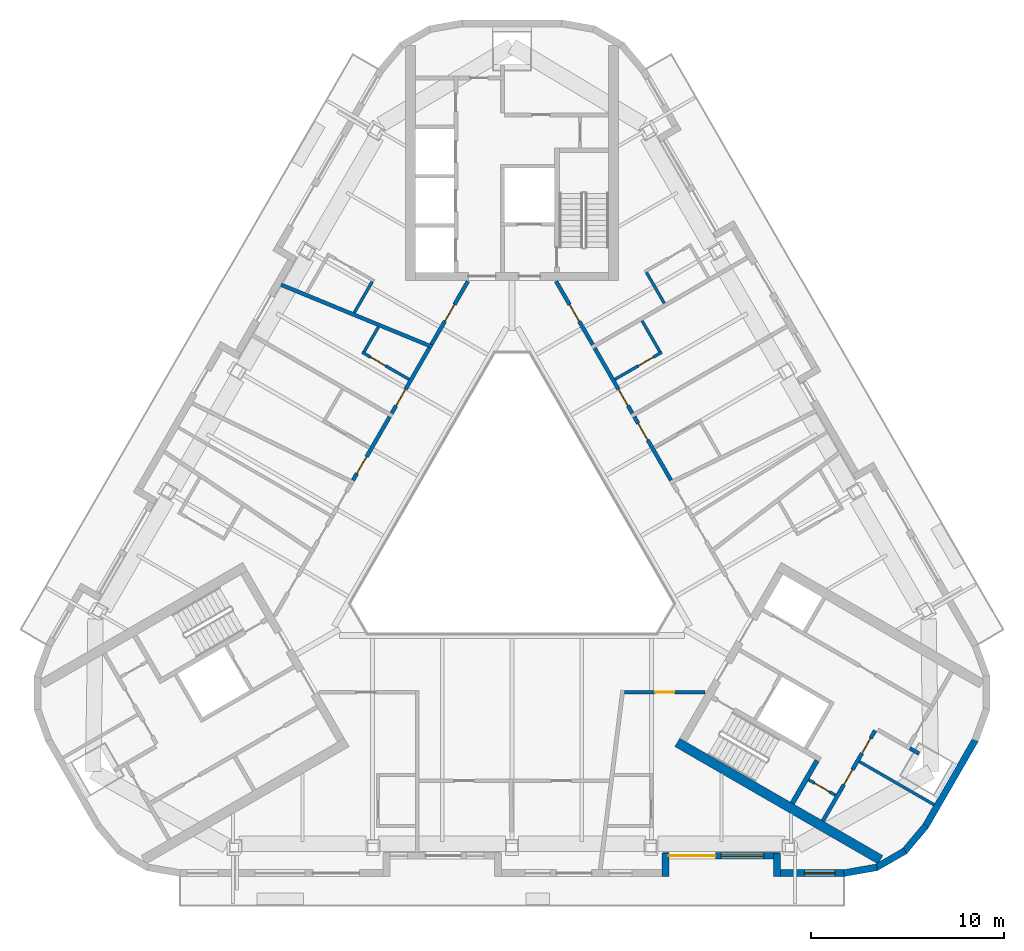
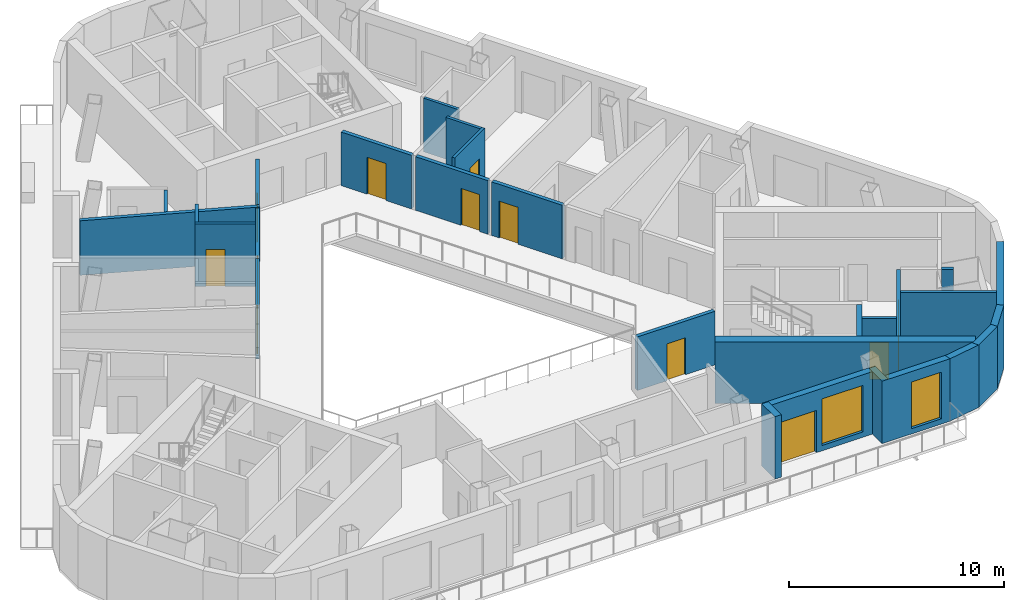
# One storey, part 5 of 13: 28 walls, 13 doors, 2 windows, 15 openings.
"""IFC4 building model written with IfcOpenShell, lengths in metres."""

from ifc_helpers import new_model, si_unit, direction, frame, frame_2d, origin, place, context, subcontext, project, spatial, rectangle, extrude, material, layer, layer_set, type_object, element, fill, save


model = new_model("IFC4")

# Units and contexts
model_context = context("Model", 3, precision=1e-05, world=origin(), true_north=direction((0.0, 1.0)))
body_context = subcontext(model_context, "Body", "Model", "MODEL_VIEW")
ifc_project = project(units=[si_unit("LENGTHUNIT", "METRE"), si_unit("AREAUNIT", "SQUARE_METRE"), si_unit("VOLUMEUNIT", "CUBIC_METRE"), si_unit("PLANEANGLEUNIT", "RADIAN"), si_unit("MASSUNIT", "GRAM", prefix="KILO")], contexts=[model_context])

# Site, building, storey
site_placement = place(None, origin())
site = spatial("IfcSite", under=ifc_project, at=site_placement, CompositionType="ELEMENT")
building_placement = place(site_placement, origin())
building = spatial("IfcBuilding", under=site, at=building_placement, Name="Apuvela Tower Hotel", CompositionType="ELEMENT")
storey_placement = place(building_placement, frame((0.0, 0.0, 287.39990234375)))
storey = spatial("IfcBuildingStorey", under=building, at=storey_placement, Name="L71", CompositionType="ELEMENT", Elevation=287.39990234375)

# Wall
ifc_material_1 = material(Name="Concrete C50/60", Category="concrete")
ifc_layer_1 = layer(ifc_material_1, 0.5)
ifc_layer_set_1 = layer_set([ifc_layer_1], Name="COR-WALL-CORE-500")
wall_type_1 = type_object("IfcWallType", Name="COR-WALL-CORE-500", PredefinedType="SHEAR", material=ifc_layer_set_1)
wall_1_placement = place(storey_placement, frame((8.546630859375, -10.99658203125, 0.0), z_axis=(0.0, 0.0, 1.0), x_axis=(0.866024688907, -0.500001238203, 0.0)))
element("IfcWall", 1, at=wall_1_placement, inside=storey, type_object=wall_type_1, Name="Core wall SE", PredefinedType="SHEAR", context=body_context, shape_type="SweptSolid", body=[
    extrude(rectangle(XDim=12.12890625, YDim=0.5, at=frame_2d((6.064453125, 0.0))), origin(), (0.0, 0.0, 1.0), 3.5),
])

# Wall, opening, door
ifc_material_2 = material(Name="Blockwork 150 mm plastered", Category="masonry")
ifc_layer_2 = layer(ifc_material_2, 0.14990234375)
ifc_layer_set_2 = layer_set([ifc_layer_2], Name="COR-WALL-PART-150")
wall_type_2 = type_object("IfcWallType", Name="COR-WALL-PART-150", PredefinedType="PARTITIONING", material=ifc_layer_set_2)
wall_2_placement = place(storey_placement, frame((15.341552734375, -12.927734375, 0.0), z_axis=(0.0, 0.0, 1.0), x_axis=(0.865989903783, -0.500061482766, 0.0)))
wall_2 = element("IfcWall", 2, at=wall_2_placement, inside=storey, type_object=wall_type_2, Name="Partition SE", PredefinedType="PARTITIONING", context=body_context, shape_type="SweptSolid", body=[
    extrude(rectangle(XDim=1.599853515625, YDim=0.14990234375, at=frame_2d((0.7998046875, 0.0))), origin(), (0.0, 0.0, 1.0), 3.5),
])
opening_1_placement = place(wall_2_placement, frame((0.35009765625, 0.0, 0.0)))
opening_1 = element("IfcOpeningElement", 3, at=opening_1_placement, cuts=wall_2, Name="Opening E-RD", PredefinedType="OPENING", context=body_context, shape_type="SweptSolid", body=[
    extrude(rectangle(XDim=0.89990234375, YDim=2.10009765625, at=frame_2d((0.449951171875, 1.050048828125))), frame((0.0, 0.0849609375, 0.0), z_axis=(0.0, -1.0, 0.0), x_axis=(1.0, 0.0, 0.0)), (0.0, 0.0, 1.0), 0.169921875),
])
ifc_material_3 = material(Name="Steel access door, powder coated", Category="steel")
door_type_1 = type_object("IfcDoorType", Name="COR-RD-900", OperationType="NOTDEFINED", PredefinedType="DOOR", material=ifc_material_3)
door_1_placement = place(opening_1_placement, frame((0.89990234375, 0.0, 0.0), z_axis=(0.0, 0.0, 1.0), x_axis=(-1.0, 0.0, 0.0)))
door_1 = element("IfcDoor", 4, at=door_1_placement, inside=storey, type_object=door_type_1, Name="Riser door E-RD", OperationType="SINGLE_SWING_LEFT", OverallHeight=2.10009765625, OverallWidth=0.89990234375, PredefinedType="DOOR", context=body_context, shape_type="SweptSolid", body=[
    extrude(rectangle(XDim=0.89990234375, YDim=2.10009765625, at=frame_2d((0.449951171875, 1.050048828125))), frame((0.0, 0.02490234375, 0.0), z_axis=(0.0, -1.0, 0.0), x_axis=(1.0, 0.0, 0.0)), (0.0, 0.0, 1.0), 0.050048828125),
])
fill(opening_1, door_1)

# Wall
wall_3_placement = place(storey_placement, frame((17.962890625, -11.9873046875, 0.0), z_axis=(0.0, 0.0, 1.0), x_axis=(0.866010510293, -0.500025795397, 0.0)))
element("IfcWall", 5, at=wall_3_placement, inside=storey, type_object=wall_type_2, Name="Partition SE", PredefinedType="PARTITIONING", context=body_context, shape_type="SweptSolid", body=[
    extrude(rectangle(XDim=4.458740234375, YDim=0.14990234375, at=frame_2d((2.2294921875, 0.0))), origin(), (0.0, 0.0, 1.0), 3.5),
])

# Wall, openings, doors
ifc_material_4 = material(Name="Blockwork 200 mm plastered", Category="masonry")
ifc_layer_3 = layer(ifc_material_4, 0.199951171875)
ifc_layer_set_3 = layer_set([ifc_layer_3], Name="COR-WALL-PART-200")
wall_type_3 = type_object("IfcWallType", Name="COR-WALL-PART-200", PredefinedType="PARTITIONING", material=ifc_layer_set_3)
wall_4_placement = place(storey_placement, frame((16.076171875, -15.05517578125, 0.0), z_axis=(0.0, 0.0, 1.0), x_axis=(0.499995103361, 0.866028230842, 0.0)))
wall_4 = element("IfcWall", 6, at=wall_4_placement, inside=storey, type_object=wall_type_3, Name="Partition SE", PredefinedType="PARTITIONING", context=body_context, shape_type="SweptSolid", body=[
    extrude(rectangle(XDim=5.39990234375, YDim=0.199951171875, at=frame_2d((2.699951171875, 0.0))), origin(), (0.0, 0.0, 1.0), 3.5),
])
opening_2_placement = place(wall_4_placement, frame((2.16259765625, 0.0, 0.0)))
opening_2 = element("IfcOpeningElement", 7, at=opening_2_placement, cuts=wall_4, Name="Opening E-RS1", PredefinedType="OPENING", context=body_context, shape_type="SweptSolid", body=[
    extrude(rectangle(XDim=0.89990234375, YDim=2.10009765625, at=frame_2d((0.449951171875, 1.050048828125))), frame((0.0, 0.10986328125, 0.0), z_axis=(0.0, -1.0, 0.0), x_axis=(1.0, 0.0, 0.0)), (0.0, 0.0, 1.0), 0.219970703125),
])
opening_3_placement = place(wall_4_placement, frame((4.03759765625, 0.0, 0.0)))
opening_3 = element("IfcOpeningElement", 8, at=opening_3_placement, cuts=wall_4, Name="Opening E-RS2", PredefinedType="OPENING", context=body_context, shape_type="SweptSolid", body=[
    extrude(rectangle(XDim=0.89990234375, YDim=2.10009765625, at=frame_2d((0.449951171875, 1.050048828125))), frame((0.0, 0.10986328125, 0.0), z_axis=(0.0, -1.0, 0.0), x_axis=(1.0, 0.0, 0.0)), (0.0, 0.0, 1.0), 0.219970703125),
])
ifc_material_5 = material(Name="Steel fire door, powder coated", Category="steel")
door_type_2 = type_object("IfcDoorType", Name="COR-DR-900", OperationType="NOTDEFINED", PredefinedType="DOOR", material=ifc_material_5)
door_2_placement = place(opening_2_placement, frame((0.89990234375, 0.0, 0.0), z_axis=(0.0, 0.0, 1.0), x_axis=(-1.0, 0.0, 0.0)))
door_2 = element("IfcDoor", 9, at=door_2_placement, inside=storey, type_object=door_type_2, Name="Store door E-RS1", OperationType="SINGLE_SWING_LEFT", OverallHeight=2.10009765625, OverallWidth=0.89990234375, PredefinedType="DOOR", context=body_context, shape_type="SweptSolid", body=[
    extrude(rectangle(XDim=0.89990234375, YDim=2.10009765625, at=frame_2d((0.449951171875, 1.050048828125))), frame((0.0, 0.02490234375, 0.0), z_axis=(0.0, -1.0, 0.0), x_axis=(1.0, 0.0, 0.0)), (0.0, 0.0, 1.0), 0.050048828125),
])
fill(opening_2, door_2)
door_3_placement = place(opening_3_placement, frame((0.89990234375, 0.0, 0.0), z_axis=(0.0, 0.0, 1.0), x_axis=(-1.0, 0.0, 0.0)))
door_3 = element("IfcDoor", 10, at=door_3_placement, inside=storey, type_object=door_type_2, Name="Store door E-RS2", OperationType="SINGLE_SWING_LEFT", OverallHeight=2.10009765625, OverallWidth=0.89990234375, PredefinedType="DOOR", context=body_context, shape_type="SweptSolid", body=[
    extrude(rectangle(XDim=0.89990234375, YDim=2.10009765625, at=frame_2d((0.449951171875, 1.050048828125))), frame((0.0, 0.02490234375, 0.0), z_axis=(0.0, -1.0, 0.0), x_axis=(1.0, 0.0, 0.0)), (0.0, 0.0, 1.0), 0.050048828125),
])
fill(opening_3, door_3)

# Walls
ifc_layer_4 = layer(ifc_material_1, 0.199951171875)
ifc_layer_set_4 = layer_set([ifc_layer_4], Name="COR-WALL-SHAFT-200")
wall_type_4 = type_object("IfcWallType", Name="COR-WALL-SHAFT-200", PredefinedType="SHEAR", material=ifc_layer_set_4)
wall_5_placement = place(storey_placement, frame((20.56689453125, -11.297119140625, 0.0), z_axis=(0.0, 0.0, 1.0), x_axis=(0.866237429803, -0.49963258021, 0.0)))
element("IfcWall", 11, at=wall_5_placement, inside=storey, type_object=wall_type_4, Name="Shaft wall SE", PredefinedType="SHEAR", context=body_context, shape_type="SweptSolid", body=[
    extrude(rectangle(XDim=0.548828125, YDim=0.199951171875, at=frame_2d((0.2744140625, 0.0))), origin(), (0.0, 0.0, 1.0), 3.5),
])
ifc_layer_5 = layer(ifc_material_1, 0.25)
ifc_layer_set_5 = layer_set([ifc_layer_5], Name="COR-WALL-STAIR-250")
wall_type_5 = type_object("IfcWallType", Name="COR-WALL-STAIR-250", PredefinedType="SHEAR", material=ifc_layer_set_5)
wall_6_placement = place(storey_placement, frame((14.49560546875, -14.142578125, 0.0), z_axis=(0.0, 0.0, 1.0), x_axis=(0.500062241894, 0.865989465428, 0.0)))
element("IfcWall", 12, at=wall_6_placement, inside=storey, type_object=wall_type_5, Name="Stair wall SE", PredefinedType="SHEAR", context=body_context, shape_type="SweptSolid", body=[
    extrude(rectangle(XDim=2.550048828125, YDim=0.25, at=frame_2d((1.27490234375, 0.0))), origin(), (0.0, 0.0, 1.0), 3.5),
])
ifc_material_6 = material(Name="Concrete C40/50, dark pigmented precast panel", Category="concrete")
ifc_layer_6 = layer(ifc_material_6, 0.35009765625)
ifc_layer_set_6 = layer_set([ifc_layer_6], Name="ENV-WALL-350")
wall_type_6 = type_object("IfcWallType", Name="ENV-WALL-350", PredefinedType="SOLIDWALL", material=ifc_layer_set_6)
wall_7_placement = place(storey_placement, frame((7.9404296875, -17.9287109375, 0.0), z_axis=(0.0, 0.0, 1.0), x_axis=(0.0, 1.0, 0.0)))
element("IfcWall", 13, at=wall_7_placement, inside=storey, type_object=wall_type_6, Name="External wall L71-22", PredefinedType="SOLIDWALL", context=body_context, shape_type="SweptSolid", body=[
    extrude(rectangle(XDim=1.219970703125, YDim=0.35009765625, at=frame_2d((0.60986328125, 0.0))), origin(), (0.0, 0.0, 1.0), 3.550048828125),
])

# Wall, openings, door, window
wall_8_placement = place(storey_placement, frame((7.79541015625, -16.853759765625, 0.0), z_axis=(0.0, 0.0, 1.0), x_axis=(1.0, 0.0, 0.0)))
wall_8 = element("IfcWall", 14, at=wall_8_placement, inside=storey, type_object=wall_type_6, Name="External wall L71-23", PredefinedType="SOLIDWALL", context=body_context, shape_type="SweptSolid", body=[
    extrude(rectangle(XDim=6.05517578125, YDim=0.35009765625, at=frame_2d((3.027587890625, 0.0))), origin(), (0.0, 0.0, 1.0), 3.550048828125),
])
opening_4_placement = place(wall_8_placement, frame((0.3203125, 0.0, 0.0)))
opening_4 = element("IfcOpeningElement", 15, at=opening_4_placement, cuts=wall_8, Name="Opening BD24", PredefinedType="OPENING", context=body_context, shape_type="SweptSolid", body=[
    extrude(rectangle(XDim=2.39990234375, YDim=2.39990234375, at=frame_2d((1.199951171875, 1.199951171875))), frame((0.0, 0.18505859375, 0.0), z_axis=(0.0, -1.0, 0.0), x_axis=(1.0, 0.0, 0.0)), (0.0, 0.0, 1.0), 0.3701171875),
])
opening_5_placement = place(wall_8_placement, frame((3.020263671875, 0.0, 0.300048828125)))
opening_5 = element("IfcOpeningElement", 16, at=opening_5_placement, cuts=wall_8, Name="Opening WN22", PredefinedType="OPENING", context=body_context, shape_type="SweptSolid", body=[
    extrude(rectangle(XDim=2.199951171875, YDim=2.64990234375, at=frame_2d((1.10009765625, 1.324951171875))), frame((0.0, 0.18505859375, 0.0), z_axis=(0.0, -1.0, 0.0), x_axis=(1.0, 0.0, 0.0)), (0.0, 0.0, 1.0), 0.3701171875),
])
ifc_material_7 = material(Name="Aluminium 6063-T6, dark bronze anodised frame with dark tinted laminated glass", Category="aluminium")
door_type_3 = type_object("IfcDoorType", Name="ENV-DOOR-BALCONY-2400x2400", OperationType="SLIDING_TO_LEFT", PredefinedType="DOOR", material=ifc_material_7)
door_4_placement = place(opening_4_placement, frame((2.39990234375, 0.0, 0.0), z_axis=(0.0, 0.0, 1.0), x_axis=(-1.0, 0.0, 0.0)))
door_4 = element("IfcDoor", 17, at=door_4_placement, inside=storey, type_object=door_type_3, Name="Balcony door BD24", OperationType="SLIDING_TO_LEFT", OverallHeight=2.39990234375, OverallWidth=2.39990234375, PredefinedType="DOOR", context=body_context, shape_type="SweptSolid", body=[
    extrude(rectangle(XDim=2.39990234375, YDim=2.39990234375, at=frame_2d((1.199951171875, 1.199951171875))), frame((0.0, 0.02490234375, 0.0), z_axis=(0.0, -1.0, 0.0), x_axis=(1.0, 0.0, 0.0)), (0.0, 0.0, 1.0), 0.050048828125),
])
fill(opening_4, door_4)
ifc_material_8 = material(Name="Glass, dark tinted laminated insulated glazing unit", Category="glass")
window_type_1 = type_object("IfcWindowType", Name="ENV-WIN-2200x2650", PartitioningType="SINGLE_PANEL", PredefinedType="WINDOW", material=ifc_material_8)
window_1_placement = place(opening_5_placement, origin())
window_1 = element("IfcWindow", 18, at=window_1_placement, inside=storey, type_object=window_type_1, Name="Window WN22", OverallHeight=2.64990234375, OverallWidth=2.199951171875, PartitioningType="SINGLE_PANEL", PredefinedType="WINDOW", context=body_context, shape_type="SweptSolid", body=[
    extrude(rectangle(XDim=2.199951171875, YDim=2.64990234375, at=frame_2d((1.10009765625, 1.324951171875))), frame((0.0, 0.030029296875, 0.0), z_axis=(0.0, -1.0, 0.0), x_axis=(1.0, 0.0, 0.0)), (0.0, 0.0, 1.0), 0.06005859375),
])
fill(opening_5, window_1)

# Wall
wall_9_placement = place(storey_placement, frame((13.705810546875, -16.708740234375, 0.0), z_axis=(0.0, 0.0, 1.0), x_axis=(0.0, -1.0, 0.0)))
element("IfcWall", 19, at=wall_9_placement, inside=storey, type_object=wall_type_6, Name="External wall L71-24", PredefinedType="SOLIDWALL", context=body_context, shape_type="SweptSolid", body=[
    extrude(rectangle(XDim=1.219970703125, YDim=0.35009765625, at=frame_2d((0.60986328125, 0.0))), origin(), (0.0, 0.0, 1.0), 3.550048828125),
])

# Wall, opening, window
wall_10_placement = place(storey_placement, frame((13.53076171875, -17.753662109375, 0.0), z_axis=(0.0, 0.0, 1.0), x_axis=(1.0, 0.0, 0.0)))
wall_10 = element("IfcWall", 20, at=wall_10_placement, inside=storey, type_object=wall_type_6, Name="External wall L71-25", PredefinedType="SOLIDWALL", context=body_context, shape_type="SweptSolid", body=[
    extrude(rectangle(XDim=3.654296875, YDim=0.35009765625, at=frame_2d((1.8271484375, 0.0))), origin(), (0.0, 0.0, 1.0), 3.550048828125),
])
opening_6_placement = place(wall_10_placement, frame((1.5810546875, 0.0, 0.300048828125)))
opening_6 = element("IfcOpeningElement", 21, at=opening_6_placement, cuts=wall_10, Name="Opening WN16", PredefinedType="OPENING", context=body_context, shape_type="SweptSolid", body=[
    extrude(rectangle(XDim=1.60009765625, YDim=2.64990234375, at=frame_2d((0.800048828125, 1.324951171875))), frame((0.0, 0.18505859375, 0.0), z_axis=(0.0, -1.0, 0.0), x_axis=(1.0, 0.0, 0.0)), (0.0, 0.0, 1.0), 0.3701171875),
])
window_type_2 = type_object("IfcWindowType", Name="ENV-WIN-1600x2650", PartitioningType="SINGLE_PANEL", PredefinedType="WINDOW", material=ifc_material_8)
window_2_placement = place(opening_6_placement, origin())
window_2 = element("IfcWindow", 22, at=window_2_placement, inside=storey, type_object=window_type_2, Name="Window WN16", OverallHeight=2.64990234375, OverallWidth=1.60009765625, PartitioningType="SINGLE_PANEL", PredefinedType="WINDOW", context=body_context, shape_type="SweptSolid", body=[
    extrude(rectangle(XDim=1.60009765625, YDim=2.64990234375, at=frame_2d((0.800048828125, 1.324951171875))), frame((0.0, 0.030029296875, 0.0), z_axis=(0.0, -1.0, 0.0), x_axis=(1.0, 0.0, 0.0)), (0.0, 0.0, 1.0), 0.06005859375),
])
fill(opening_6, window_2)

# Walls
for number, where, z_axis, x_axis, name in (
    (23, (17.15478515625, -17.75634765625, 0.0), (0.0, 0.0, 1.0), (0.984803276474, 0.173673563465, 0.0), "External wall L71-26"),
    (24, (18.815673828125, -17.47412109375, 0.0), (0.0, 0.0, 1.0), (0.86609937154, 0.499871862198, 0.0), "External wall L71-27"),
    (25, (20.280029296875, -16.64111328125, 0.0), (0.0, 0.0, 1.0), (0.642768607723, 0.766060387258, 0.0), "External wall L71-28"),
):
    element("IfcWall", number, at=place(storey_placement, frame(where, z_axis=z_axis, x_axis=x_axis)), inside=storey, type_object=wall_type_6, Name=name, PredefinedType="SOLIDWALL", context=body_context, shape_type="SweptSolid", body=[
        extrude(rectangle(XDim=1.74462890625, YDim=0.35009765625, at=frame_2d((0.872314453125, 0.0))), origin(), (0.0, 0.0, 1.0), 3.550048828125),
    ])
wall_11_placement = place(storey_placement, frame((21.3837890625, -15.32958984375, 0.0), z_axis=(0.0, 0.0, 1.0), x_axis=(0.500020983425, 0.866013288659, 0.0)))
element("IfcWall", 26, at=wall_11_placement, inside=storey, type_object=wall_type_6, Name="External wall L71-29", PredefinedType="SOLIDWALL", context=body_context, shape_type="SweptSolid", body=[
    extrude(rectangle(XDim=5.167724609375, YDim=0.35009765625, at=frame_2d((2.583984375, 0.0))), origin(), (0.0, 0.0, 1.0), 3.550048828125),
])
ifc_material_9 = material(Name="Gypsum board partition on twin steel stud", Category="steel")
ifc_layer_7 = layer(ifc_material_9, 0.199951171875)
ifc_layer_set_7 = layer_set([ifc_layer_7], Name="GST-PW1")
wall_type_7 = type_object("IfcWallType", Name="GST-PW1", PredefinedType="PARTITIONING", material=ifc_layer_set_7)
wall_12_placement = place(storey_placement, frame((-11.943603515625, 12.67041015625, 0.0), z_axis=(0.0, 0.0, 1.0), x_axis=(0.924897439871, -0.380216682591, 0.0)))
element("IfcWall", 27, at=wall_12_placement, inside=storey, type_object=wall_type_7, Name="L71 partition 08", PredefinedType="PARTITIONING", context=body_context, shape_type="SweptSolid", body=[
    extrude(rectangle(XDim=8.4541015625, YDim=0.199951171875, at=frame_2d((4.22705078125, 0.0))), origin(), (0.0, 0.0, 1.0), 3.10009765625),
])

# Wall, opening, door
ifc_material_10 = material(Name="Gypsum board corridor wall on twin steel stud, acoustic", Category="steel")
ifc_layer_8 = layer(ifc_material_10, 0.199951171875)
ifc_layer_set_8 = layer_set([ifc_layer_8], Name="GST-PW2")
wall_type_8 = type_object("IfcWallType", Name="GST-PW2", PredefinedType="PARTITIONING", material=ifc_layer_set_8)
wall_13_placement = place(storey_placement, frame((9.98828125, -8.39990234375, 0.0), z_axis=(0.0, 0.0, 1.0), x_axis=(-1.0, 0.0, 0.0)))
wall_13 = element("IfcWall", 28, at=wall_13_placement, inside=storey, type_object=wall_type_8, Name="L71 partition 18", PredefinedType="PARTITIONING", context=body_context, shape_type="SweptSolid", body=[
    extrude(rectangle(XDim=4.175048828125, YDim=0.199951171875, at=frame_2d((2.08740234375, 0.0))), origin(), (0.0, 0.0, 1.0), 3.050048828125),
])
opening_7_placement = place(wall_13_placement, frame((1.58740234375, 0.0, 0.0)))
opening_7 = element("IfcOpeningElement", 29, at=opening_7_placement, cuts=wall_13, Name="Opening GD28-06", PredefinedType="OPENING", context=body_context, shape_type="SweptSolid", body=[
    extrude(rectangle(XDim=1.0, YDim=2.10009765625, at=frame_2d((0.5, 1.050048828125))), frame((0.0, 0.10986328125, 0.0), z_axis=(0.0, -1.0, 0.0), x_axis=(1.0, 0.0, 0.0)), (0.0, 0.0, 1.0), 0.219970703125),
])
ifc_material_11 = material(Name="Timber door leaf in steel frame", Category="steel")
door_type_4 = type_object("IfcDoorType", Name="GST-D1", OperationType="NOTDEFINED", PredefinedType="DOOR", material=ifc_material_11)
door_5_placement = place(opening_7_placement, origin())
door_5 = element("IfcDoor", 30, at=door_5_placement, inside=storey, type_object=door_type_4, Name="Door L71-06", OperationType="SINGLE_SWING_RIGHT", OverallHeight=2.10009765625, OverallWidth=1.0, PredefinedType="DOOR", context=body_context, shape_type="SweptSolid", body=[
    extrude(rectangle(XDim=1.0, YDim=2.10009765625, at=frame_2d((0.5, 1.050048828125))), frame((0.0, 0.02490234375, 0.0), z_axis=(0.0, -1.0, 0.0), x_axis=(1.0, 0.0, 0.0)), (0.0, 0.0, 1.0), 0.050048828125),
])
fill(opening_7, door_5)

wall_14_placement = place(storey_placement, frame((6.32470703125, 5.845458984375, 0.0), z_axis=(0.0, 0.0, 1.0), x_axis=(0.499988034227, -0.866032312117, 0.0)))
wall_14 = element("IfcWall", 31, at=wall_14_placement, inside=storey, type_object=wall_type_8, Name="L71 partition 29", PredefinedType="PARTITIONING", context=body_context, shape_type="SweptSolid", body=[
    extrude(rectangle(XDim=3.79296875, YDim=0.199951171875, at=frame_2d((1.896484375, 0.0))), origin(), (0.0, 0.0, 1.0), 3.050048828125),
])
opening_8_placement = place(wall_14_placement, frame((0.4033203125, 0.0, 0.0)))
opening_8 = element("IfcOpeningElement", 32, at=opening_8_placement, cuts=wall_14, Name="Opening GD28-12", PredefinedType="OPENING", context=body_context, shape_type="SweptSolid", body=[
    extrude(rectangle(XDim=1.0, YDim=2.10009765625, at=frame_2d((0.5, 1.050048828125))), frame((0.0, 0.10986328125, 0.0), z_axis=(0.0, -1.0, 0.0), x_axis=(1.0, 0.0, 0.0)), (0.0, 0.0, 1.0), 0.219970703125),
])
door_6_placement = place(opening_8_placement, origin())
door_6 = element("IfcDoor", 33, at=door_6_placement, inside=storey, type_object=door_type_4, Name="Door L71-12", OperationType="SINGLE_SWING_LEFT", OverallHeight=2.10009765625, OverallWidth=1.0, PredefinedType="DOOR", context=body_context, shape_type="SweptSolid", body=[
    extrude(rectangle(XDim=1.0, YDim=2.10009765625, at=frame_2d((0.5, 1.050048828125))), frame((0.0, 0.02490234375, 0.0), z_axis=(0.0, -1.0, 0.0), x_axis=(1.0, 0.0, 0.0)), (0.0, 0.0, 1.0), 0.050048828125),
])
fill(opening_8, door_6)

wall_15_placement = place(storey_placement, frame((4.274658203125, 9.396240234375, 0.0), z_axis=(0.0, 0.0, 1.0), x_axis=(0.499997012787, -0.866027128446, 0.0)))
wall_15 = element("IfcWall", 34, at=wall_15_placement, inside=storey, type_object=wall_type_8, Name="L71 partition 32", PredefinedType="PARTITIONING", context=body_context, shape_type="SweptSolid", body=[
    extrude(rectangle(XDim=3.89990234375, YDim=0.199951171875, at=frame_2d((1.949951171875, 0.0))), origin(), (0.0, 0.0, 1.0), 3.050048828125),
])
opening_9_placement = place(wall_15_placement, frame((2.449951171875, 0.0, 0.0)))
opening_9 = element("IfcOpeningElement", 35, at=opening_9_placement, cuts=wall_15, Name="Opening GD28-14", PredefinedType="OPENING", context=body_context, shape_type="SweptSolid", body=[
    extrude(rectangle(XDim=1.0, YDim=2.10009765625, at=frame_2d((0.5, 1.050048828125))), frame((0.0, 0.10986328125, 0.0), z_axis=(0.0, -1.0, 0.0), x_axis=(1.0, 0.0, 0.0)), (0.0, 0.0, 1.0), 0.219970703125),
])
door_7_placement = place(opening_9_placement, origin())
door_7 = element("IfcDoor", 36, at=door_7_placement, inside=storey, type_object=door_type_4, Name="Door L71-14", OperationType="SINGLE_SWING_RIGHT", OverallHeight=2.10009765625, OverallWidth=1.0, PredefinedType="DOOR", context=body_context, shape_type="SweptSolid", body=[
    extrude(rectangle(XDim=1.0, YDim=2.10009765625, at=frame_2d((0.5, 1.050048828125))), frame((0.0, 0.02490234375, 0.0), z_axis=(0.0, -1.0, 0.0), x_axis=(1.0, 0.0, 0.0)), (0.0, 0.0, 1.0), 0.050048828125),
])
fill(opening_9, door_7)

wall_16_placement = place(storey_placement, frame((2.280517578125, 12.85009765625, 0.0), z_axis=(0.0, 0.0, 1.0), x_axis=(0.499979074716, -0.866037484666, 0.0)))
wall_16 = element("IfcWall", 37, at=wall_16_placement, inside=storey, type_object=wall_type_8, Name="L71 partition 35", PredefinedType="PARTITIONING", context=body_context, shape_type="SweptSolid", body=[
    extrude(rectangle(XDim=3.788330078125, YDim=0.199951171875, at=frame_2d((1.89404296875, 0.0))), origin(), (0.0, 0.0, 1.0), 3.050048828125),
])
opening_10_placement = place(wall_16_placement, frame((1.39404296875, 0.0, 0.0)))
opening_10 = element("IfcOpeningElement", 38, at=opening_10_placement, cuts=wall_16, Name="Opening GD28-16", PredefinedType="OPENING", context=body_context, shape_type="SweptSolid", body=[
    extrude(rectangle(XDim=1.0, YDim=2.10009765625, at=frame_2d((0.5, 1.050048828125))), frame((0.0, 0.10986328125, 0.0), z_axis=(0.0, -1.0, 0.0), x_axis=(1.0, 0.0, 0.0)), (0.0, 0.0, 1.0), 0.219970703125),
])
door_8_placement = place(opening_10_placement, origin())
door_8 = element("IfcDoor", 39, at=door_8_placement, inside=storey, type_object=door_type_4, Name="Door L71-16", OperationType="SINGLE_SWING_RIGHT", OverallHeight=2.10009765625, OverallWidth=1.0, PredefinedType="DOOR", context=body_context, shape_type="SweptSolid", body=[
    extrude(rectangle(XDim=1.0, YDim=2.10009765625, at=frame_2d((0.5, 1.050048828125))), frame((0.0, 0.02490234375, 0.0), z_axis=(0.0, -1.0, 0.0), x_axis=(1.0, 0.0, 0.0)), (0.0, 0.0, 1.0), 0.050048828125),
])
fill(opening_10, door_8)

wall_17_placement = place(storey_placement, frame((-4.16748046875, 9.581787109375, 0.0), z_axis=(0.0, 0.0, 1.0), x_axis=(0.500000579621, 0.86602506914, 0.0)))
wall_17 = element("IfcWall", 40, at=wall_17_placement, inside=storey, type_object=wall_type_8, Name="L71 partition 39", PredefinedType="PARTITIONING", context=body_context, shape_type="SweptSolid", body=[
    extrude(rectangle(XDim=3.77392578125, YDim=0.199951171875, at=frame_2d((1.886962890625, 0.0))), origin(), (0.0, 0.0, 1.0), 3.050048828125),
])
opening_11_placement = place(wall_17_placement, frame((1.386962890625, 0.0, 0.0)))
opening_11 = element("IfcOpeningElement", 41, at=opening_11_placement, cuts=wall_17, Name="Opening GD28-18", PredefinedType="OPENING", context=body_context, shape_type="SweptSolid", body=[
    extrude(rectangle(XDim=1.0, YDim=2.10009765625, at=frame_2d((0.5, 1.050048828125))), frame((0.0, 0.10986328125, 0.0), z_axis=(0.0, -1.0, 0.0), x_axis=(1.0, 0.0, 0.0)), (0.0, 0.0, 1.0), 0.219970703125),
])
door_9_placement = place(opening_11_placement, origin())
door_9 = element("IfcDoor", 42, at=door_9_placement, inside=storey, type_object=door_type_4, Name="Door L71-18", OperationType="SINGLE_SWING_LEFT", OverallHeight=2.10009765625, OverallWidth=1.0, PredefinedType="DOOR", context=body_context, shape_type="SweptSolid", body=[
    extrude(rectangle(XDim=1.0, YDim=2.10009765625, at=frame_2d((0.5, 1.050048828125))), frame((0.0, 0.02490234375, 0.0), z_axis=(0.0, -1.0, 0.0), x_axis=(1.0, 0.0, 0.0)), (0.0, 0.0, 1.0), 0.050048828125),
])
fill(opening_11, door_9)

wall_18_placement = place(storey_placement, frame((-6.224609375, 6.018798828125, 0.0), z_axis=(0.0, 0.0, 1.0), x_axis=(0.500024943202, 0.866011002341, 0.0)))
wall_18 = element("IfcWall", 43, at=wall_18_placement, inside=storey, type_object=wall_type_8, Name="L71 partition 43", PredefinedType="PARTITIONING", context=body_context, shape_type="SweptSolid", body=[
    extrude(rectangle(XDim=3.912353515625, YDim=0.199951171875, at=frame_2d((1.9560546875, 0.0))), origin(), (0.0, 0.0, 1.0), 3.050048828125),
])
opening_12_placement = place(wall_18_placement, frame((0.449462890625, 0.0, 0.0)))
opening_12 = element("IfcOpeningElement", 44, at=opening_12_placement, cuts=wall_18, Name="Opening GD28-20", PredefinedType="OPENING", context=body_context, shape_type="SweptSolid", body=[
    extrude(rectangle(XDim=1.0, YDim=2.10009765625, at=frame_2d((0.5, 1.050048828125))), frame((0.0, 0.10986328125, 0.0), z_axis=(0.0, -1.0, 0.0), x_axis=(1.0, 0.0, 0.0)), (0.0, 0.0, 1.0), 0.219970703125),
])
door_10_placement = place(opening_12_placement, origin())
door_10 = element("IfcDoor", 45, at=door_10_placement, inside=storey, type_object=door_type_4, Name="Door L71-20", OperationType="SINGLE_SWING_LEFT", OverallHeight=2.10009765625, OverallWidth=1.0, PredefinedType="DOOR", context=body_context, shape_type="SweptSolid", body=[
    extrude(rectangle(XDim=1.0, YDim=2.10009765625, at=frame_2d((0.5, 1.050048828125))), frame((0.0, 0.02490234375, 0.0), z_axis=(0.0, -1.0, 0.0), x_axis=(1.0, 0.0, 0.0)), (0.0, 0.0, 1.0), 0.050048828125),
])
fill(opening_12, door_10)

wall_19_placement = place(storey_placement, frame((-8.22119140625, 2.560546875, 0.0), z_axis=(0.0, 0.0, 1.0), x_axis=(0.499988034227, 0.866032312117, 0.0)))
wall_19 = element("IfcWall", 46, at=wall_19_placement, inside=storey, type_object=wall_type_8, Name="L71 partition 46", PredefinedType="PARTITIONING", context=body_context, shape_type="SweptSolid", body=[
    extrude(rectangle(XDim=3.79296875, YDim=0.199951171875, at=frame_2d((1.896484375, 0.0))), origin(), (0.0, 0.0, 1.0), 3.050048828125),
])
opening_13_placement = place(wall_19_placement, frame((0.39990234375, 0.0, 0.0)))
opening_13 = element("IfcOpeningElement", 47, at=opening_13_placement, cuts=wall_19, Name="Opening GD28-22", PredefinedType="OPENING", context=body_context, shape_type="SweptSolid", body=[
    extrude(rectangle(XDim=1.0, YDim=2.10009765625, at=frame_2d((0.5, 1.050048828125))), frame((0.0, 0.10986328125, 0.0), z_axis=(0.0, -1.0, 0.0), x_axis=(1.0, 0.0, 0.0)), (0.0, 0.0, 1.0), 0.219970703125),
])
door_11_placement = place(opening_13_placement, origin())
door_11 = element("IfcDoor", 48, at=door_11_placement, inside=storey, type_object=door_type_4, Name="Door L71-22", OperationType="SINGLE_SWING_LEFT", OverallHeight=2.10009765625, OverallWidth=1.0, PredefinedType="DOOR", context=body_context, shape_type="SweptSolid", body=[
    extrude(rectangle(XDim=1.0, YDim=2.10009765625, at=frame_2d((0.5, 1.050048828125))), frame((0.0, 0.02490234375, 0.0), z_axis=(0.0, -1.0, 0.0), x_axis=(1.0, 0.0, 0.0)), (0.0, 0.0, 1.0), 0.050048828125),
])
fill(opening_13, door_11)

ifc_material_12 = material(Name="Moisture-resistant gypsum board wet wall on steel stud", Category="steel")
ifc_layer_9 = layer(ifc_material_12, 0.14990234375)
ifc_layer_set_9 = layer_set([ifc_layer_9], Name="GST-PW3")
wall_type_9 = type_object("IfcWallType", Name="GST-PW3", PredefinedType="PARTITIONING", material=ifc_layer_set_9)
wall_20_placement = place(storey_placement, frame((5.32373046875, 7.779052734375, 0.0), z_axis=(0.0, 0.0, 1.0), x_axis=(0.865996816683, 0.500049511043, 0.0)))
wall_20 = element("IfcWall", 49, at=wall_20_placement, inside=storey, type_object=wall_type_9, Name="L71 partition 33", PredefinedType="PARTITIONING", context=body_context, shape_type="SweptSolid", body=[
    extrude(rectangle(XDim=2.800048828125, YDim=0.14990234375, at=frame_2d((1.39990234375, 0.0))), origin(), (0.0, 0.0, 1.0), 3.550048828125),
])
opening_14_placement = place(wall_20_placement, frame((1.39990234375, 0.0, 0.0)))
opening_14 = element("IfcOpeningElement", 50, at=opening_14_placement, cuts=wall_20, Name="Opening GD28-13", PredefinedType="OPENING", context=body_context, shape_type="SweptSolid", body=[
    extrude(rectangle(XDim=0.89990234375, YDim=2.10009765625, at=frame_2d((0.449951171875, 1.050048828125))), frame((0.0, 0.0849609375, 0.0), z_axis=(0.0, -1.0, 0.0), x_axis=(1.0, 0.0, 0.0)), (0.0, 0.0, 1.0), 0.169921875),
])
door_type_5 = type_object("IfcDoorType", Name="GST-D2", OperationType="NOTDEFINED", PredefinedType="DOOR", material=ifc_material_11)
door_12_placement = place(opening_14_placement, origin())
door_12 = element("IfcDoor", 51, at=door_12_placement, inside=storey, type_object=door_type_5, Name="Door L71-13", OperationType="SINGLE_SWING_RIGHT", OverallHeight=2.10009765625, OverallWidth=0.89990234375, PredefinedType="DOOR", context=body_context, shape_type="SweptSolid", body=[
    extrude(rectangle(XDim=0.89990234375, YDim=2.10009765625, at=frame_2d((0.449951171875, 1.050048828125))), frame((0.0, 0.02490234375, 0.0), z_axis=(0.0, -1.0, 0.0), x_axis=(1.0, 0.0, 0.0)), (0.0, 0.0, 1.0), 0.050048828125),
])
fill(opening_14, door_12)

# Walls
wall_21_placement = place(storey_placement, frame((7.64599609375, 9.20654296875, 0.0), z_axis=(0.0, 0.0, 1.0), x_axis=(-0.49994333299, 0.866058118026, 0.0)))
element("IfcWall", 52, at=wall_21_placement, inside=storey, type_object=wall_type_9, Name="L71 partition 34", PredefinedType="PARTITIONING", context=body_context, shape_type="SweptSolid", body=[
    extrude(rectangle(XDim=1.849853515625, YDim=0.14990234375, at=frame_2d((0.9248046875, 0.0))), origin(), (0.0, 0.0, 1.0), 3.550048828125),
])
wall_22_placement = place(storey_placement, frame((7.876953125, 11.706787109375, 0.0), z_axis=(0.0, 0.0, 1.0), x_axis=(-0.499985172903, 0.866033964044, 0.0)))
element("IfcWall", 53, at=wall_22_placement, inside=storey, type_object=wall_type_9, Name="L71 partition 38", PredefinedType="PARTITIONING", context=body_context, shape_type="SweptSolid", body=[
    extrude(rectangle(XDim=1.85009765625, YDim=0.14990234375, at=frame_2d((0.925048828125, 0.0))), origin(), (0.0, 0.0, 1.0), 3.050048828125),
])
wall_23_placement = place(storey_placement, frame((-7.226806640625, 12.83251953125, 0.0), z_axis=(0.0, 0.0, 1.0), x_axis=(-0.500063286585, -0.865988862174, 0.0)))
element("IfcWall", 54, at=wall_23_placement, inside=storey, type_object=wall_type_9, Name="L71 partition 42", PredefinedType="PARTITIONING", context=body_context, shape_type="SweptSolid", body=[
    extrude(rectangle(XDim=1.860107421875, YDim=0.14990234375, at=frame_2d((0.93017578125, 0.0))), origin(), (0.0, 0.0, 1.0), 3.050048828125),
])

# Wall, opening, door
wall_24_placement = place(storey_placement, frame((-7.7490234375, 9.17822265625, 0.0), z_axis=(0.0, 0.0, 1.0), x_axis=(0.866034573852, -0.49998411664, 0.0)))
wall_24 = element("IfcWall", 55, at=wall_24_placement, inside=storey, type_object=wall_type_9, Name="L71 partition 44", PredefinedType="PARTITIONING", context=body_context, shape_type="SweptSolid", body=[
    extrude(rectangle(XDim=2.7998046875, YDim=0.14990234375, at=frame_2d((1.39990234375, 0.0))), origin(), (0.0, 0.0, 1.0), 3.550048828125),
])
opening_15_placement = place(wall_24_placement, frame((0.5, 0.0, 0.0)))
opening_15 = element("IfcOpeningElement", 56, at=opening_15_placement, cuts=wall_24, Name="Opening GD28-19", PredefinedType="OPENING", context=body_context, shape_type="SweptSolid", body=[
    extrude(rectangle(XDim=0.89990234375, YDim=2.10009765625, at=frame_2d((0.449951171875, 1.050048828125))), frame((0.0, 0.0849609375, 0.0), z_axis=(0.0, -1.0, 0.0), x_axis=(1.0, 0.0, 0.0)), (0.0, 0.0, 1.0), 0.169921875),
])
door_13_placement = place(opening_15_placement, origin())
door_13 = element("IfcDoor", 57, at=door_13_placement, inside=storey, type_object=door_type_5, Name="Door L71-19", OperationType="SINGLE_SWING_LEFT", OverallHeight=2.10009765625, OverallWidth=0.89990234375, PredefinedType="DOOR", context=body_context, shape_type="SweptSolid", body=[
    extrude(rectangle(XDim=0.89990234375, YDim=2.10009765625, at=frame_2d((0.449951171875, 1.050048828125))), frame((0.0, 0.02490234375, 0.0), z_axis=(0.0, -1.0, 0.0), x_axis=(1.0, 0.0, 0.0)), (0.0, 0.0, 1.0), 0.050048828125),
])
fill(opening_15, door_13)

# Wall
wall_25_placement = place(storey_placement, frame((-6.90478515625, 10.49072265625, 0.0), z_axis=(0.0, 0.0, 1.0), x_axis=(-0.499926630096, -0.866067759775, 0.0)))
element("IfcWall", 58, at=wall_25_placement, inside=storey, type_object=wall_type_9, Name="L71 partition 45", PredefinedType="PARTITIONING", context=body_context, shape_type="SweptSolid", body=[
    extrude(rectangle(XDim=1.483642578125, YDim=0.14990234375, at=frame_2d((0.74169921875, 0.0))), origin(), (0.0, 0.0, 1.0), 3.550048828125),
])

save(model, "model.ifc")
